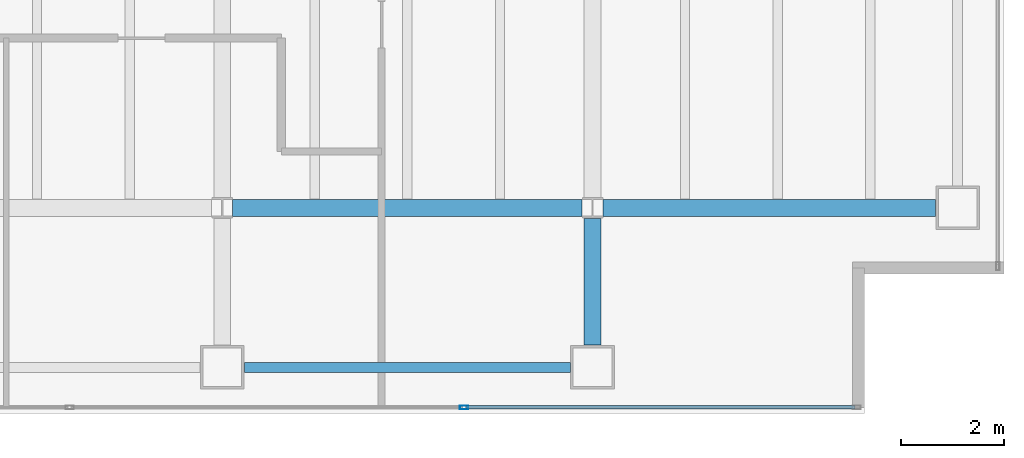
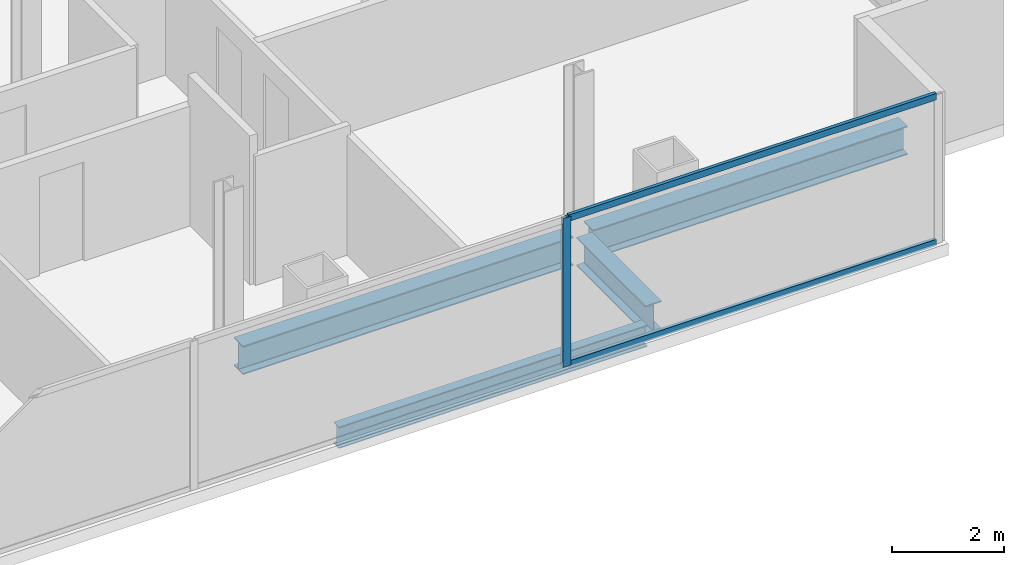
# One storey, part 10 of 23: 4 beams, 3 members, 1 element without a shape of its own.
"""IFC4 building model written with IfcOpenShell, lengths in metres."""

import ifcopenshell
import ifcopenshell.guid

model = None  # the IFC model being written
_history = None  # IfcOwnerHistory: only IFC2X3 demands one
_inside = {}  # id of a spatial element -> (the spatial element, [elements in it])
_under = {}  # id of a project, library or spatial element -> (it, [spatial elements below it])
_declared = {}  # id of a project -> (the project, [libraries it declares])
_typed = {}  # id of a type object -> (the type object, [elements of that type])
_made_of = {}  # id of a material, layer set ... -> (it, [elements and type objects made of it])


def new_model(schema):
    """Start an empty IFC model of exactly this schema.

    Asked for "IFC4X3", IfcOpenShell would pick the latest addendum, in which some entities
    have other attributes; the version numbers below select the first issue.
    IFC2X3 requires an IfcOwnerHistory on every rooted entity: one is made here for all.
    """
    global model, _history
    if schema == "IFC4X3":
        model = ifcopenshell.file(schema_version=(4, 3, 0, 0))
    else:
        model = ifcopenshell.file(schema=schema)
    _inside.clear()
    _under.clear()
    _declared.clear()
    _typed.clear()
    _made_of.clear()
    _history = None
    if model.schema == "IFC2X3":
        org = make("IfcOrganization", Name="unknown")
        user = make(
            "IfcPersonAndOrganization",
            ThePerson=make("IfcPerson", FamilyName="unknown"),
            TheOrganization=org,
        )
        app = make(
            "IfcApplication",
            ApplicationDeveloper=org,
            Version="unknown",
            ApplicationFullName="unknown",
            ApplicationIdentifier="unknown",
        )
        _history = make(
            "IfcOwnerHistory",
            OwningUser=user,
            OwningApplication=app,
            ChangeAction="ADDED",
            CreationDate=0,
        )
    return model


def make(cls, **values):
    """One entity of the class cls with the attributes given. An attribute that is None is left unset."""
    return model.create_entity(
        cls, **{name: value for name, value in values.items() if value is not None}
    )


def rooted(cls, **values):
    """An entity with a GlobalId (a new one), such as an element, a storey or a relation."""
    return make(cls, GlobalId=ifcopenshell.guid.new(), OwnerHistory=_history, **values)


def si_unit(unit_type, name, prefix=None):
    """IfcSIUnit, for example si_unit("LENGTHUNIT", "METRE", prefix="MILLI")."""
    return make("IfcSIUnit", UnitType=unit_type, Prefix=prefix, Name=name)


def assignment(units):
    """IfcUnitAssignment: the units of a project."""
    return None if units is None else make("IfcUnitAssignment", Units=units)


def point(xyz):
    """IfcCartesianPoint."""
    return None if xyz is None else make("IfcCartesianPoint", Coordinates=xyz)


def direction(xyz):
    """IfcDirection."""
    return None if xyz is None else make("IfcDirection", DirectionRatios=xyz)


def frame(location, z_axis=None, x_axis=None):
    """IfcAxis2Placement3D, a coordinate frame: its origin and axes. An axis left out is left unset."""
    return make(
        "IfcAxis2Placement3D",
        Location=point(location),
        Axis=direction(z_axis),
        RefDirection=direction(x_axis),
    )


def frame_2d(location, x_axis=None):
    """IfcAxis2Placement2D, a coordinate frame in the plane: its origin and x axis."""
    return make(
        "IfcAxis2Placement2D", Location=point(location), RefDirection=direction(x_axis)
    )


def origin():
    """The frame at (0, 0, 0) with its axes left unset."""
    return frame((0.0, 0.0, 0.0))


def origin_2d():
    """The frame at (0, 0) in the plane with its x axis left unset."""
    return frame_2d((0.0, 0.0))


def place(relative_to, where):
    """IfcLocalPlacement: puts the frame where relative to a parent placement (None: the world)."""
    return make(
        "IfcLocalPlacement", PlacementRelTo=relative_to, RelativePlacement=where
    )


def context(
    kind, dimensions, precision=None, world=None, true_north=None, identifier=None
):
    """IfcGeometricRepresentationContext, for example the 3D "Model" context."""
    return make(
        "IfcGeometricRepresentationContext",
        ContextIdentifier=identifier,
        ContextType=kind,
        CoordinateSpaceDimension=dimensions,
        Precision=precision,
        WorldCoordinateSystem=world,
        TrueNorth=true_north,
    )


def subcontext(parent, identifier, kind, view, scale=None):
    """IfcGeometricRepresentationSubContext, for example "Body" below "Model"."""
    return make(
        "IfcGeometricRepresentationSubContext",
        ContextIdentifier=identifier,
        ContextType=kind,
        ParentContext=parent,
        TargetScale=scale,
        TargetView=view,
    )


def project(units=None, contexts=None):
    """IfcProject with its units and contexts."""
    return rooted(
        "IfcProject",
        Name="project",
        RepresentationContexts=contexts,
        UnitsInContext=assignment(units),
    )


def spatial(cls, under=None, at=None, **own):
    """A site, building, storey or space (cls), placed at a placement, below another one or the project."""
    s = rooted(cls, ObjectPlacement=at, **own)
    if under is not None:
        _under.setdefault(under.id(), (under, []))[1].append(s)
    return s


def profile(cls, at=None, kind="AREA", **sizes):
    """A parametric profile (cls). Its sizes go by their IFC names, for example OverallWidth=200.0."""
    return make(cls, ProfileType=kind, Position=at, **sizes)


def hollow_rectangle(**sizes):
    """IfcRectangleHollowProfileDef."""
    return profile("IfcRectangleHollowProfileDef", **sizes)


def i_section(**sizes):
    """IfcIShapeProfileDef."""
    return profile("IfcIShapeProfileDef", **sizes)


def extrude(swept, where, along, depth):
    """IfcExtrudedAreaSolid: the profile swept, set in the frame where, extruded along a direction by depth."""
    return make(
        "IfcExtrudedAreaSolid",
        SweptArea=swept,
        Position=where,
        ExtrudedDirection=direction(along),
        Depth=depth,
    )


def shape(context_of_items, identifier, shape_type, items):
    """IfcShapeRepresentation: the items that make up one representation, for example the "Body"."""
    return make(
        "IfcShapeRepresentation",
        ContextOfItems=context_of_items,
        RepresentationIdentifier=identifier,
        RepresentationType=shape_type,
        Items=items,
    )


def material(Name=None, Category=None):
    """IfcMaterial."""
    return make("IfcMaterial", Name=Name, Category=Category)


def material_profile(
    of_material, cross_section, Name=None, Category=None, Priority=None
):
    """IfcMaterialProfile: a cross section and its material."""
    return make(
        "IfcMaterialProfile",
        Name=Name,
        Material=of_material,
        Profile=cross_section,
        Priority=Priority,
        Category=Category,
    )


def profile_set(profiles, Name=None, composite=None):
    """IfcMaterialProfileSet."""
    return make(
        "IfcMaterialProfileSet",
        Name=Name,
        MaterialProfiles=profiles,
        CompositeProfile=composite,
    )


def made_of(thing, what):
    """Note that an element or type object is made of a material, layer set ...; save() writes the relation."""
    if what is not None:
        _made_of.setdefault(what.id(), (what, []))[1].append(thing)
    return thing


def type_object(cls, material=None, **own):
    """A type object (cls), such as IfcWallType, which elements share."""
    return made_of(rooted(cls, **own), material)


def element(
    cls,
    number,
    at=None,
    inside=None,
    cuts=None,
    type_object=None,
    material=None,
    context=None,
    identifier="Body",
    shape_type=None,
    held_by="IfcProductDefinitionShape",
    body=None,
    shapes=None,
    **own,
):
    """One element of the class cls, such as IfcWall. Its Tag is "e" and its number.

    at: its placement. inside: the storey or other place that contains it. cuts: it is an
    opening in that element (IfcRelVoidsElement). A single representation is given by context,
    identifier, shape_type and body (its items); several are given by shapes. held_by: the class
    of the entity that holds the representations. save() writes the other relations.
    """
    e = rooted(cls, Tag="e%d" % number, ObjectPlacement=at, **own)
    if body is not None:
        shapes = [shape(context, identifier, shape_type, body)]
    if shapes is not None:
        e.Representation = make(held_by, Representations=shapes)
    if inside is not None:
        _inside.setdefault(inside.id(), (inside, []))[1].append(e)
    if cuts is not None:
        rooted(
            "IfcRelVoidsElement", RelatingBuildingElement=cuts, RelatedOpeningElement=e
        )
    if type_object is not None:
        _typed.setdefault(type_object.id(), (type_object, []))[1].append(e)
    return made_of(e, material)


def aggregate(whole, parts):
    """IfcRelAggregates: a whole, such as a stair, and the parts it consists of."""
    return rooted("IfcRelAggregates", RelatingObject=whole, RelatedObjects=parts)


def save(model, path):
    """Write the relations noted so far, then the file.

    IfcRelAggregates (storeys below a building ...), IfcRelContainedInSpatialStructure (elements
    in a storey), IfcRelDefinesByType, IfcRelAssociatesMaterial and IfcRelDeclares: one each for
    every whole, place, type object, material and project.
    """
    for whole, parts in _under.values():
        aggregate(whole, parts)
    for where, things in _inside.values():
        rooted(
            "IfcRelContainedInSpatialStructure",
            RelatedElements=things,
            RelatingStructure=where,
        )
    for kind, things in _typed.values():
        rooted("IfcRelDefinesByType", RelatedObjects=things, RelatingType=kind)
    for what, things in _made_of.values():
        rooted("IfcRelAssociatesMaterial", RelatedObjects=things, RelatingMaterial=what)
    for by, libraries in _declared.values():
        rooted("IfcRelDeclares", RelatingContext=by, RelatedDefinitions=libraries)
    model.write(path)


model = new_model("IFC4")

# Units and contexts
model_context = context("Model", 3, precision=1e-05, world=origin(), true_north=direction((0.0, 1.0)))
body_context = subcontext(model_context, "Body", "Model", "MODEL_VIEW")
ifc_project = project(units=[si_unit("LENGTHUNIT", "METRE"), si_unit("AREAUNIT", "SQUARE_METRE"), si_unit("VOLUMEUNIT", "CUBIC_METRE"), si_unit("PLANEANGLEUNIT", "RADIAN"), si_unit("MASSUNIT", "GRAM", prefix="KILO")], contexts=[model_context])

# Site, building, storey
site_placement = place(None, origin())
site = spatial("IfcSite", under=ifc_project, at=site_placement, CompositionType="ELEMENT")
building_placement = place(site_placement, origin())
building = spatial("IfcBuilding", under=site, at=building_placement, Name="Cobrela Telecom Tower", CompositionType="ELEMENT")
storey_placement = place(building_placement, frame((0.0, 0.0, 173.25)))
storey = spatial("IfcBuildingStorey", under=building, at=storey_placement, Name="L43", CompositionType="ELEMENT", Elevation=173.25)

# Beams
ifc_material_1 = material(Name="Steel ASTM A992 Grade 50", Category="steel")
ifc_material_profile_1 = material_profile(ifc_material_1, i_section(OverallWidth=0.327880859375, OverallDepth=0.6220703125, WebThickness=0.015380859375, FlangeThickness=0.0244140625, FilletRadius=0.014892578125, at=origin_2d()), Name="W24X131")
ifc_profile_set_1 = profile_set([ifc_material_profile_1], Name="Steel ASTM A992 Grade 50")
beam_type_1 = type_object("IfcBeamType", Name="BM-GIRD-06", PredefinedType="USERDEFINED", material=ifc_profile_set_1)
beam_1_placement = place(storey_placement, frame((29.00439453125, 7.199951171875, -0.571044921875), z_axis=(1.0, 0.0, 0.0), x_axis=(0.0, 1.0, 0.0)))
element("IfcBeam", 1, at=beam_1_placement, inside=storey, type_object=beam_type_1, Name="L43 Primary Girder X09", ObjectType="GIRDER", PredefinedType="USERDEFINED", context=body_context, shape_type="SweptSolid", body=[
    extrude(i_section(OverallWidth=0.327880859375, OverallDepth=0.6220703125, WebThickness=0.015380859375, FlangeThickness=0.0244140625, FilletRadius=0.014892578125, at=origin_2d()), origin(), (0.0, 0.0, 1.0), 6.791015625),
])
beam_2_placement = place(storey_placement, frame((36.20458984375, 7.199951171875, -0.571044921875), z_axis=(1.0, 0.0, 0.0), x_axis=(0.0, 1.0, 0.0)))
element("IfcBeam", 2, at=beam_2_placement, inside=storey, type_object=beam_type_1, Name="L43 Primary Girder X10", ObjectType="GIRDER", PredefinedType="USERDEFINED", context=body_context, shape_type="SweptSolid", body=[
    extrude(i_section(OverallWidth=0.327880859375, OverallDepth=0.6220703125, WebThickness=0.015380859375, FlangeThickness=0.0244140625, FilletRadius=0.014892578125, at=origin_2d()), origin(), (0.0, 0.0, 1.0), 6.46533203125),
])
beam_3_placement = place(storey_placement, frame((36.0, 4.530029296875, -0.571044921875), z_axis=(0.0, 1.0, 0.0), x_axis=(-1.0, 0.0, 0.0)))
element("IfcBeam", 3, at=beam_3_placement, inside=storey, type_object=beam_type_1, Name="L43 Primary Girder Y39", ObjectType="GIRDER", PredefinedType="USERDEFINED", context=body_context, shape_type="SweptSolid", body=[
    extrude(i_section(OverallWidth=0.327880859375, OverallDepth=0.6220703125, WebThickness=0.015380859375, FlangeThickness=0.0244140625, FilletRadius=0.014892578125, at=origin_2d()), origin(), (0.0, 0.0, 1.0), 2.465576171875),
])
ifc_material_profile_2 = material_profile(ifc_material_1, i_section(OverallWidth=0.193115234375, OverallDepth=0.467041015625, WebThickness=0.011474609375, FlangeThickness=0.01904296875, FilletRadius=0.012939453125, at=origin_2d()), Name="W18X65")
ifc_profile_set_2 = profile_set([ifc_material_profile_2], Name="Steel ASTM A992 Grade 50")
beam_type_2 = type_object("IfcBeamType", Name="BM-SPAND-05", PredefinedType="SPANDREL", material=ifc_profile_set_2)
beam_4_placement = place(storey_placement, frame((29.22998046875, 4.10009765625, -0.493408203125), z_axis=(1.0, 0.0, 0.0), x_axis=(0.0, 1.0, 0.0)))
element("IfcBeam", 4, at=beam_4_placement, inside=storey, type_object=beam_type_2, Name="L43 Perimeter Spandrel X04", PredefinedType="SPANDREL", context=body_context, shape_type="SweptSolid", body=[
    extrude(i_section(OverallWidth=0.193115234375, OverallDepth=0.467041015625, WebThickness=0.011474609375, FlangeThickness=0.01904296875, FilletRadius=0.012939453125, at=origin_2d()), origin(), (0.0, 0.0, 1.0), 6.340087890625),
])

# Curtain wall, members
ifc_material_2 = material(Name="Anodized Bronze Aluminium 6063-T6", Category="aluminium")
curtain_wall_type = type_object("IfcCurtainWallType", Name="CW-SYS-OFF-LO", PredefinedType="USERDEFINED", material=ifc_material_2)
curtain_wall_placement = place(storey_placement, origin())
curtain_wall = element("IfcCurtainWall", 5, at=curtain_wall_placement, inside=storey, type_object=curtain_wall_type, Name="L43 Unitised Bronze Curtain Wall 17", ObjectType="UNITISED CURTAIN WALL", PredefinedType="USERDEFINED")
ifc_material_profile_3 = material_profile(ifc_material_2, hollow_rectangle(XDim=0.070068359375, YDim=0.159912109375, WallThickness=0.00390625, at=origin_2d()), Name="ALU 70x160x4")
ifc_profile_set_3 = profile_set([ifc_material_profile_3], Name="Anodized Bronze Aluminium 6063-T6")
member_type_1 = type_object("IfcMemberType", Name="CW-SYS-OFF-LO-MUL", PredefinedType="MULLION", material=ifc_profile_set_3)
member_1_placement = place(storey_placement, frame((33.501953125, 3.320068359375, 0.0), z_axis=(0.0, 0.0, 1.0), x_axis=(0.0, -1.0, 0.0)))
member_1 = element("IfcMember", 6, at=member_1_placement, type_object=member_type_1, Name="CW-OFF-LO mullion 2", PredefinedType="MULLION", context=body_context, shape_type="SweptSolid", body=[
    extrude(hollow_rectangle(XDim=0.070068359375, YDim=0.159912109375, WallThickness=0.00390625, at=origin_2d()), origin(), (0.0, 0.0, 1.0), 3.239990234375),
])
ifc_material_profile_4 = material_profile(ifc_material_2, hollow_rectangle(XDim=0.070068359375, YDim=0.139892578125, WallThickness=0.00390625, at=origin_2d()), Name="ALU 70x140x4")
ifc_profile_set_4 = profile_set([ifc_material_profile_4], Name="Anodized Bronze Aluminium 6063-T6")
member_type_2 = type_object("IfcMemberType", Name="CW-SYS-OFF-LO-TRN", PredefinedType="USERDEFINED", material=ifc_profile_set_4)
member_2_placement = place(storey_placement, frame((41.10009765625, 3.320068359375, 0.034912109375), z_axis=(-1.0, 0.0, 0.0), x_axis=(0.0, -1.0, 0.0)))
member_2 = element("IfcMember", 7, at=member_2_placement, type_object=member_type_2, Name="CW-OFF-LO transom 1.1", ObjectType="TRANSOM", PredefinedType="USERDEFINED", context=body_context, shape_type="SweptSolid", body=[
    extrude(hollow_rectangle(XDim=0.070068359375, YDim=0.139892578125, WallThickness=0.00390625, at=origin_2d()), origin(), (0.0, 0.0, 1.0), 7.56298828125),
])
member_3_placement = place(storey_placement, frame((41.10009765625, 3.320068359375, 3.205078125), z_axis=(-1.0, 0.0, 0.0), x_axis=(0.0, -1.0, 0.0)))
member_3 = element("IfcMember", 8, at=member_3_placement, type_object=member_type_2, Name="CW-OFF-LO transom 1.2", ObjectType="TRANSOM", PredefinedType="USERDEFINED", context=body_context, shape_type="SweptSolid", body=[
    extrude(hollow_rectangle(XDim=0.070068359375, YDim=0.139892578125, WallThickness=0.00390625, at=origin_2d()), origin(), (0.0, 0.0, 1.0), 7.56298828125),
])
aggregate(curtain_wall, [member_1, member_2, member_3])

save(model, "model.ifc")
